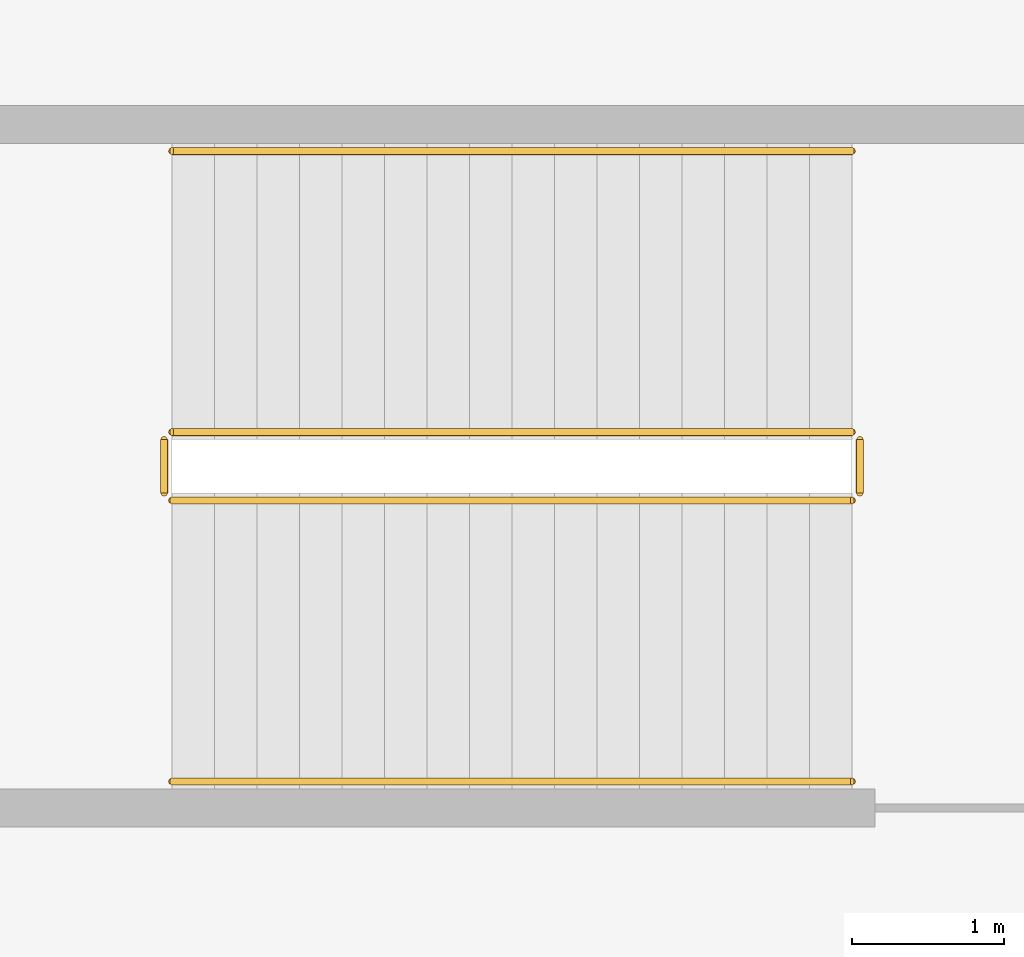
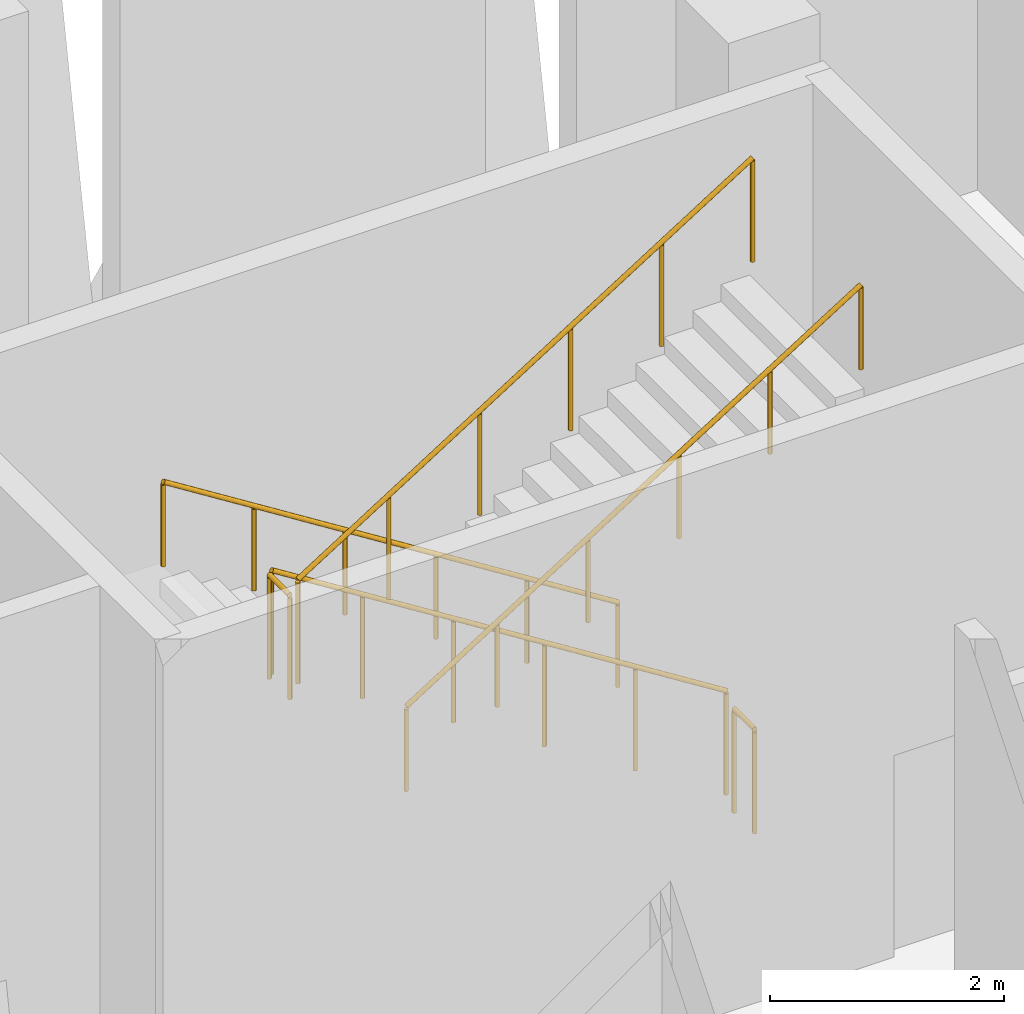
# One storey, part 10 of 11: 1 railing.
"""IFC4 building model written with IfcOpenShell, lengths in metres."""

import ifcopenshell
import ifcopenshell.guid

model = None  # the IFC model being written
_history = None  # IfcOwnerHistory: only IFC2X3 demands one
_inside = {}  # id of a spatial element -> (the spatial element, [elements in it])
_under = {}  # id of a project, library or spatial element -> (it, [spatial elements below it])
_declared = {}  # id of a project -> (the project, [libraries it declares])
_typed = {}  # id of a type object -> (the type object, [elements of that type])
_made_of = {}  # id of a material, layer set ... -> (it, [elements and type objects made of it])


def new_model(schema):
    """Start an empty IFC model of exactly this schema.

    Asked for "IFC4X3", IfcOpenShell would pick the latest addendum, in which some entities
    have other attributes; the version numbers below select the first issue.
    IFC2X3 requires an IfcOwnerHistory on every rooted entity: one is made here for all.
    """
    global model, _history
    if schema == "IFC4X3":
        model = ifcopenshell.file(schema_version=(4, 3, 0, 0))
    else:
        model = ifcopenshell.file(schema=schema)
    _inside.clear()
    _under.clear()
    _declared.clear()
    _typed.clear()
    _made_of.clear()
    _history = None
    if model.schema == "IFC2X3":
        org = make("IfcOrganization", Name="unknown")
        user = make(
            "IfcPersonAndOrganization",
            ThePerson=make("IfcPerson", FamilyName="unknown"),
            TheOrganization=org,
        )
        app = make(
            "IfcApplication",
            ApplicationDeveloper=org,
            Version="unknown",
            ApplicationFullName="unknown",
            ApplicationIdentifier="unknown",
        )
        _history = make(
            "IfcOwnerHistory",
            OwningUser=user,
            OwningApplication=app,
            ChangeAction="ADDED",
            CreationDate=0,
        )
    return model


def make(cls, **values):
    """One entity of the class cls with the attributes given. An attribute that is None is left unset."""
    return model.create_entity(
        cls, **{name: value for name, value in values.items() if value is not None}
    )


def rooted(cls, **values):
    """An entity with a GlobalId (a new one), such as an element, a storey or a relation."""
    return make(cls, GlobalId=ifcopenshell.guid.new(), OwnerHistory=_history, **values)


def si_unit(unit_type, name, prefix=None):
    """IfcSIUnit, for example si_unit("LENGTHUNIT", "METRE", prefix="MILLI")."""
    return make("IfcSIUnit", UnitType=unit_type, Prefix=prefix, Name=name)


def assignment(units):
    """IfcUnitAssignment: the units of a project."""
    return None if units is None else make("IfcUnitAssignment", Units=units)


def point(xyz):
    """IfcCartesianPoint."""
    return None if xyz is None else make("IfcCartesianPoint", Coordinates=xyz)


def direction(xyz):
    """IfcDirection."""
    return None if xyz is None else make("IfcDirection", DirectionRatios=xyz)


def frame(location, z_axis=None, x_axis=None):
    """IfcAxis2Placement3D, a coordinate frame: its origin and axes. An axis left out is left unset."""
    return make(
        "IfcAxis2Placement3D",
        Location=point(location),
        Axis=direction(z_axis),
        RefDirection=direction(x_axis),
    )


def frame_2d(location, x_axis=None):
    """IfcAxis2Placement2D, a coordinate frame in the plane: its origin and x axis."""
    return make(
        "IfcAxis2Placement2D", Location=point(location), RefDirection=direction(x_axis)
    )


def origin():
    """The frame at (0, 0, 0) with its axes left unset."""
    return frame((0.0, 0.0, 0.0))


def origin_2d():
    """The frame at (0, 0) in the plane with its x axis left unset."""
    return frame_2d((0.0, 0.0))


def place(relative_to, where):
    """IfcLocalPlacement: puts the frame where relative to a parent placement (None: the world)."""
    return make(
        "IfcLocalPlacement", PlacementRelTo=relative_to, RelativePlacement=where
    )


def context(
    kind, dimensions, precision=None, world=None, true_north=None, identifier=None
):
    """IfcGeometricRepresentationContext, for example the 3D "Model" context."""
    return make(
        "IfcGeometricRepresentationContext",
        ContextIdentifier=identifier,
        ContextType=kind,
        CoordinateSpaceDimension=dimensions,
        Precision=precision,
        WorldCoordinateSystem=world,
        TrueNorth=true_north,
    )


def subcontext(parent, identifier, kind, view, scale=None):
    """IfcGeometricRepresentationSubContext, for example "Body" below "Model"."""
    return make(
        "IfcGeometricRepresentationSubContext",
        ContextIdentifier=identifier,
        ContextType=kind,
        ParentContext=parent,
        TargetScale=scale,
        TargetView=view,
    )


def project(units=None, contexts=None):
    """IfcProject with its units and contexts."""
    return rooted(
        "IfcProject",
        Name="project",
        RepresentationContexts=contexts,
        UnitsInContext=assignment(units),
    )


def spatial(cls, under=None, at=None, **own):
    """A site, building, storey or space (cls), placed at a placement, below another one or the project."""
    s = rooted(cls, ObjectPlacement=at, **own)
    if under is not None:
        _under.setdefault(under.id(), (under, []))[1].append(s)
    return s


def profile(cls, at=None, kind="AREA", **sizes):
    """A parametric profile (cls). Its sizes go by their IFC names, for example OverallWidth=200.0."""
    return make(cls, ProfileType=kind, Position=at, **sizes)


def circle(**sizes):
    """IfcCircleProfileDef."""
    return profile("IfcCircleProfileDef", **sizes)


def extrude(swept, where, along, depth):
    """IfcExtrudedAreaSolid: the profile swept, set in the frame where, extruded along a direction by depth."""
    return make(
        "IfcExtrudedAreaSolid",
        SweptArea=swept,
        Position=where,
        ExtrudedDirection=direction(along),
        Depth=depth,
    )


def shape(context_of_items, identifier, shape_type, items):
    """IfcShapeRepresentation: the items that make up one representation, for example the "Body"."""
    return make(
        "IfcShapeRepresentation",
        ContextOfItems=context_of_items,
        RepresentationIdentifier=identifier,
        RepresentationType=shape_type,
        Items=items,
    )


def material(Name=None, Category=None):
    """IfcMaterial."""
    return make("IfcMaterial", Name=Name, Category=Category)


def made_of(thing, what):
    """Note that an element or type object is made of a material, layer set ...; save() writes the relation."""
    if what is not None:
        _made_of.setdefault(what.id(), (what, []))[1].append(thing)
    return thing


def type_object(cls, material=None, **own):
    """A type object (cls), such as IfcWallType, which elements share."""
    return made_of(rooted(cls, **own), material)


def element(
    cls,
    number,
    at=None,
    inside=None,
    cuts=None,
    type_object=None,
    material=None,
    context=None,
    identifier="Body",
    shape_type=None,
    held_by="IfcProductDefinitionShape",
    body=None,
    shapes=None,
    **own,
):
    """One element of the class cls, such as IfcWall. Its Tag is "e" and its number.

    at: its placement. inside: the storey or other place that contains it. cuts: it is an
    opening in that element (IfcRelVoidsElement). A single representation is given by context,
    identifier, shape_type and body (its items); several are given by shapes. held_by: the class
    of the entity that holds the representations. save() writes the other relations.
    """
    e = rooted(cls, Tag="e%d" % number, ObjectPlacement=at, **own)
    if body is not None:
        shapes = [shape(context, identifier, shape_type, body)]
    if shapes is not None:
        e.Representation = make(held_by, Representations=shapes)
    if inside is not None:
        _inside.setdefault(inside.id(), (inside, []))[1].append(e)
    if cuts is not None:
        rooted(
            "IfcRelVoidsElement", RelatingBuildingElement=cuts, RelatedOpeningElement=e
        )
    if type_object is not None:
        _typed.setdefault(type_object.id(), (type_object, []))[1].append(e)
    return made_of(e, material)


def aggregate(whole, parts):
    """IfcRelAggregates: a whole, such as a stair, and the parts it consists of."""
    return rooted("IfcRelAggregates", RelatingObject=whole, RelatedObjects=parts)


def save(model, path):
    """Write the relations noted so far, then the file.

    IfcRelAggregates (storeys below a building ...), IfcRelContainedInSpatialStructure (elements
    in a storey), IfcRelDefinesByType, IfcRelAssociatesMaterial and IfcRelDeclares: one each for
    every whole, place, type object, material and project.
    """
    for whole, parts in _under.values():
        aggregate(whole, parts)
    for where, things in _inside.values():
        rooted(
            "IfcRelContainedInSpatialStructure",
            RelatedElements=things,
            RelatingStructure=where,
        )
    for kind, things in _typed.values():
        rooted("IfcRelDefinesByType", RelatedObjects=things, RelatingType=kind)
    for what, things in _made_of.values():
        rooted("IfcRelAssociatesMaterial", RelatedObjects=things, RelatingMaterial=what)
    for by, libraries in _declared.values():
        rooted("IfcRelDeclares", RelatingContext=by, RelatedDefinitions=libraries)
    model.write(path)


model = new_model("IFC4")

# Units and contexts
model_context = context("Model", 3, precision=1e-05, world=origin(), true_north=direction((0.0, 1.0)))
body_context = subcontext(model_context, "Body", "Model", "MODEL_VIEW")
ifc_project = project(units=[si_unit("LENGTHUNIT", "METRE"), si_unit("AREAUNIT", "SQUARE_METRE"), si_unit("VOLUMEUNIT", "CUBIC_METRE"), si_unit("PLANEANGLEUNIT", "RADIAN"), si_unit("MASSUNIT", "GRAM", prefix="KILO")], contexts=[model_context])

# Site, building, storey
site_placement = place(None, origin())
site = spatial("IfcSite", under=ifc_project, at=site_placement, CompositionType="ELEMENT")
building_placement = place(site_placement, origin())
building = spatial("IfcBuilding", under=site, at=building_placement, Name="Corbelhall Arena Tower", CompositionType="ELEMENT")
storey_placement = place(building_placement, frame((0.0, 0.0, 294.0)))
storey = spatial("IfcBuildingStorey", under=building, at=storey_placement, Name="L64", CompositionType="ELEMENT", Elevation=294.0)

# Railing
ifc_material = material(Name="Steel ASTM A500 Gr C", Category="steel")
railing_type = type_object("IfcRailingType", Name="IN-GD-1100", PredefinedType="GUARDRAIL", material=ifc_material)
railing_placement = place(storey_placement, frame((11.425048828125, 14.77490234375, 0.176513671875)))
element("IfcRailing", 1, at=railing_placement, inside=storey, type_object=railing_type, Name="L64 ST3 stair guards and handrails", PredefinedType="GUARDRAIL", context=body_context, shape_type="SweptSolid", body=[
    extrude(circle(Radius=0.02392578125, at=origin_2d()), frame((0.0, 0.0, 1.076171875), z_axis=(-0.845997938375, 0.0, 0.533186166611), x_axis=(0.0, -1.0, 0.0)), (0.0, 0.0, 1.0), 5.29541015625),
    extrude(circle(Radius=0.02392578125, at=origin_2d()), frame((-4.530029296875, -0.0498046875, 3.8994140625), z_axis=(0.0, -1.0, 0.0), x_axis=(1.0, 0.0, 0.0)), (0.0, 0.0, 1.0), 0.35009765625),
    extrude(circle(Radius=0.02392578125, at=origin_2d()), frame((-4.47998046875, -0.449951171875, 4.076171875), z_axis=(0.845997938375, 0.0, 0.533186166611), x_axis=(0.0, 1.0, 0.0)), (0.0, 0.0, 1.0), 5.29541015625),
    extrude(circle(Radius=0.02392578125, at=origin_2d()), frame((0.050048828125, -0.0498046875, 0.8994140625), z_axis=(0.0, -1.0, 0.0), x_axis=(1.0, 0.0, 0.0)), (0.0, 0.0, 1.0), 0.35009765625),
    extrude(circle(Radius=0.02392578125, at=origin_2d()), frame((0.0, 1.85009765625, 0.8759765625), z_axis=(-0.845997938375, 0.0, 0.533186166611), x_axis=(0.0, -1.0, 0.0)), (0.0, 0.0, 1.0), 5.29541015625),
    extrude(circle(Radius=0.02392578125, at=origin_2d()), frame((-4.47998046875, -2.2998046875, 3.8759765625), z_axis=(0.845997938375, 0.0, 0.533186166611), x_axis=(0.0, 1.0, 0.0)), (0.0, 0.0, 1.0), 5.29541015625),
    extrude(circle(Radius=0.02099609375, at=origin_2d()), origin(), (0.0, 0.0, 1.0), 1.052001953125),
    extrude(circle(Radius=0.02099609375, at=origin_2d()), frame((-0.89599609375, 0.0, 0.564697265625)), (0.0, 0.0, 1.0), 1.052001953125),
    extrude(circle(Radius=0.02099609375, at=origin_2d()), frame((-1.7919921875, 0.0, 1.12939453125)), (0.0, 0.0, 1.0), 1.052001953125),
    extrude(circle(Radius=0.02099609375, at=origin_2d()), frame((-2.68798828125, 0.0, 1.694091796875)), (0.0, 0.0, 1.0), 1.052001953125),
    extrude(circle(Radius=0.02099609375, at=origin_2d()), frame((-3.583984375, 0.0, 2.2587890625)), (0.0, 0.0, 1.0), 1.052001953125),
    extrude(circle(Radius=0.02099609375, at=origin_2d()), frame((-4.47998046875, 0.0, 2.823486328125)), (0.0, 0.0, 1.0), 1.052001953125),
    extrude(circle(Radius=0.02099609375, at=origin_2d()), frame((-4.530029296875, -0.0498046875, 2.823486328125)), (0.0, 0.0, 1.0), 1.052001953125),
    extrude(circle(Radius=0.02099609375, at=origin_2d()), frame((-4.530029296875, -0.39990234375, 2.823486328125)), (0.0, 0.0, 1.0), 1.052001953125),
    extrude(circle(Radius=0.02099609375, at=origin_2d()), frame((-4.47998046875, -0.449951171875, 3.0)), (0.0, 0.0, 1.0), 1.052001953125),
    extrude(circle(Radius=0.02099609375, at=origin_2d()), frame((-3.583984375, -0.449951171875, 3.564697265625)), (0.0, 0.0, 1.0), 1.052001953125),
    extrude(circle(Radius=0.02099609375, at=origin_2d()), frame((-2.68798828125, -0.449951171875, 4.12939453125)), (0.0, 0.0, 1.0), 1.052001953125),
    extrude(circle(Radius=0.02099609375, at=origin_2d()), frame((-1.7919921875, -0.449951171875, 4.694091796875)), (0.0, 0.0, 1.0), 1.052001953125),
    extrude(circle(Radius=0.02099609375, at=origin_2d()), frame((-0.89599609375, -0.449951171875, 5.2587890625)), (0.0, 0.0, 1.0), 1.052001953125),
    extrude(circle(Radius=0.02099609375, at=origin_2d()), frame((0.0, -0.449951171875, 5.823486328125)), (0.0, 0.0, 1.0), 1.052001953125),
    extrude(circle(Radius=0.02099609375, at=origin_2d()), frame((0.050048828125, -0.0498046875, -0.176513671875)), (0.0, 0.0, 1.0), 1.052001953125),
    extrude(circle(Radius=0.02099609375, at=origin_2d()), frame((0.050048828125, -0.39990234375, -0.176513671875)), (0.0, 0.0, 1.0), 1.052001953125),
    extrude(circle(Radius=0.02099609375, at=origin_2d()), frame((0.0, 1.85009765625, 0.0)), (0.0, 0.0, 1.0), 0.851806640625),
    extrude(circle(Radius=0.02099609375, at=origin_2d()), frame((-0.89599609375, 1.85009765625, 0.564697265625)), (0.0, 0.0, 1.0), 0.851806640625),
    extrude(circle(Radius=0.02099609375, at=origin_2d()), frame((-1.7919921875, 1.85009765625, 1.12939453125)), (0.0, 0.0, 1.0), 0.851806640625),
    extrude(circle(Radius=0.02099609375, at=origin_2d()), frame((-2.68798828125, 1.85009765625, 1.694091796875)), (0.0, 0.0, 1.0), 0.851806640625),
    extrude(circle(Radius=0.02099609375, at=origin_2d()), frame((-3.583984375, 1.85009765625, 2.2587890625)), (0.0, 0.0, 1.0), 0.851806640625),
    extrude(circle(Radius=0.02099609375, at=origin_2d()), frame((-4.47998046875, 1.85009765625, 2.823486328125)), (0.0, 0.0, 1.0), 0.851806640625),
    extrude(circle(Radius=0.02099609375, at=origin_2d()), frame((-4.47998046875, -2.2998046875, 3.0)), (0.0, 0.0, 1.0), 0.851806640625),
    extrude(circle(Radius=0.02099609375, at=origin_2d()), frame((-3.583984375, -2.2998046875, 3.564697265625)), (0.0, 0.0, 1.0), 0.851806640625),
    extrude(circle(Radius=0.02099609375, at=origin_2d()), frame((-2.68798828125, -2.2998046875, 4.12939453125)), (0.0, 0.0, 1.0), 0.851806640625),
    extrude(circle(Radius=0.02099609375, at=origin_2d()), frame((-1.7919921875, -2.2998046875, 4.694091796875)), (0.0, 0.0, 1.0), 0.851806640625),
    extrude(circle(Radius=0.02099609375, at=origin_2d()), frame((-0.89599609375, -2.2998046875, 5.2587890625)), (0.0, 0.0, 1.0), 0.851806640625),
    extrude(circle(Radius=0.02099609375, at=origin_2d()), frame((0.0, -2.2998046875, 5.823486328125)), (0.0, 0.0, 1.0), 0.851806640625),
])

save(model, "model.ifc")
